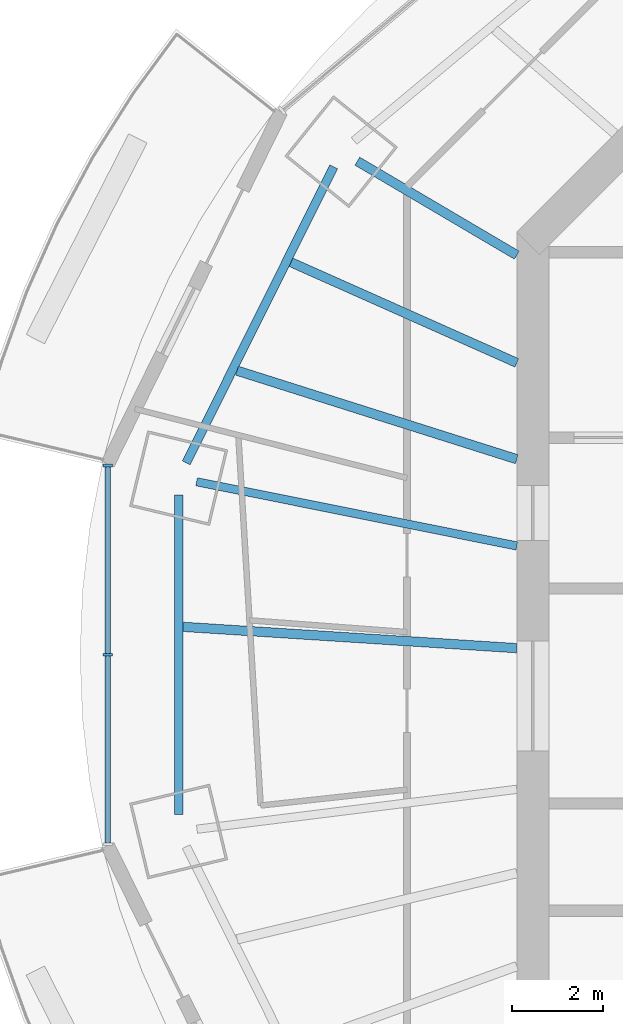
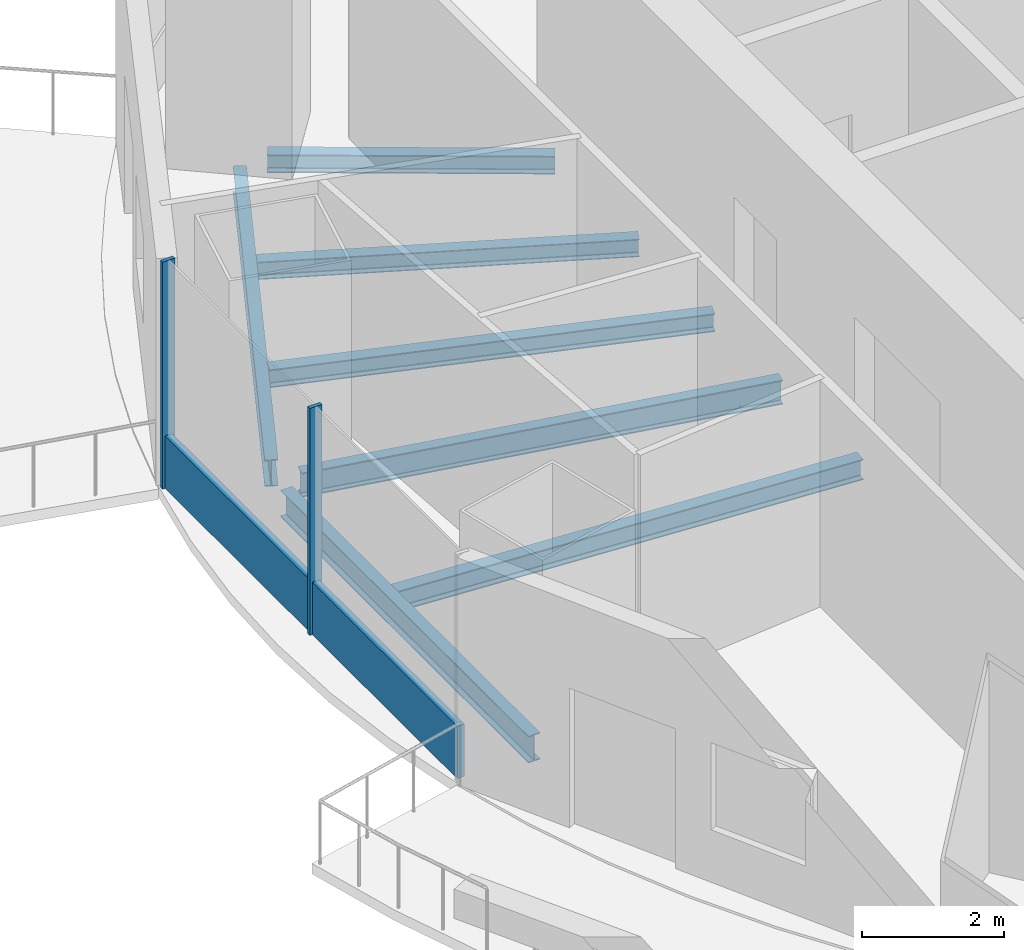
# One storey, part 3 of 14: 7 beams, 3 members, 1 element without a shape of its own.
"""IFC4 building model written with IfcOpenShell, lengths in metres."""

from ifc_helpers import new_model, si_unit, direction, frame, origin, origin_2d, place, context, subcontext, project, spatial, rectangle, i_section, extrude, material, material_profile, profile_set, type_object, element, aggregate, save


model = new_model("IFC4")

# Units and contexts
model_context = context("Model", 3, precision=1e-05, world=origin(), true_north=direction((0.0, 1.0)))
body_context = subcontext(model_context, "Body", "Model", "MODEL_VIEW")
ifc_project = project(units=[si_unit("LENGTHUNIT", "METRE"), si_unit("AREAUNIT", "SQUARE_METRE"), si_unit("VOLUMEUNIT", "CUBIC_METRE"), si_unit("PLANEANGLEUNIT", "RADIAN"), si_unit("MASSUNIT", "GRAM", prefix="KILO")], contexts=[model_context])

# Site, building, storey
site_placement = place(None, origin())
site = spatial("IfcSite", under=ifc_project, at=site_placement, CompositionType="ELEMENT")
building_placement = place(site_placement, origin())
building = spatial("IfcBuilding", under=site, at=building_placement, Name="Marenthal Gate Tower", CompositionType="ELEMENT")
storey_placement = place(building_placement, frame((0.0, 0.0, 392.39990234375)))
storey = spatial("IfcBuildingStorey", under=building, at=storey_placement, Name="L89", CompositionType="ELEMENT", Elevation=392.39990234375)

# Curtain wall, members
ifc_material_1 = material(Name="Aluminium and glass", Category="aluminium")
curtain_wall_type = type_object("IfcCurtainWallType", Name="Curtain wall typical high", PredefinedType="NOTDEFINED", material=ifc_material_1)
curtain_wall_placement = place(storey_placement, origin())
curtain_wall = element("IfcCurtainWall", 1, at=curtain_wall_placement, inside=storey, type_object=curtain_wall_type, Name="Curtain wall L89 bay 8", PredefinedType="NOTDEFINED")
ifc_material_2 = material(Name="Aluminium", Category="aluminium")
ifc_material_profile_1 = material_profile(ifc_material_2, rectangle(XDim=0.199951171875, YDim=0.06005859375, at=origin_2d()), Name="60x200 aluminium mullion")
ifc_profile_set_1 = profile_set([ifc_material_profile_1], Name="Aluminium")
member_type_1 = type_object("IfcMemberType", Name="Mullion 60x200 typical high", PredefinedType="MULLION", material=ifc_profile_set_1)
member_1_placement = place(storey_placement, frame((-25.292236328125, 5.041015625, 0.0), z_axis=(0.0, 0.0, 1.0), x_axis=(1.0, 0.0, 0.0)))
member_1 = element("IfcMember", 2, at=member_1_placement, type_object=member_type_1, Name="Mullion L89 bay 8.1", PredefinedType="MULLION", context=body_context, shape_type="SweptSolid", body=[
    extrude(rectangle(XDim=0.199951171875, YDim=0.06005859375, at=origin_2d()), origin(), (0.0, 0.0, 1.0), 3.900146484375),
])
member_2_placement = place(storey_placement, frame((-25.292236328125, 0.89990234375, 0.0), z_axis=(0.0, 0.0, 1.0), x_axis=(1.0, 0.0, 0.0)))
member_2 = element("IfcMember", 3, at=member_2_placement, type_object=member_type_1, Name="Mullion L89 bay 8.2", PredefinedType="MULLION", context=body_context, shape_type="SweptSolid", body=[
    extrude(rectangle(XDim=0.199951171875, YDim=0.06005859375, at=origin_2d()), origin(), (0.0, 0.0, 1.0), 3.900146484375),
])
ifc_material_3 = material(Name="Aluminium", Category="aluminium")
ifc_material_profile_2 = material_profile(ifc_material_3, rectangle(XDim=0.1201171875, YDim=0.89990234375, at=origin_2d()), Name="120x900 aluminium transom")
ifc_profile_set_2 = profile_set([ifc_material_profile_2], Name="Aluminium")
member_type_2 = type_object("IfcMemberType", Name="Transom 120x900 typical high", PredefinedType="USERDEFINED", material=ifc_profile_set_2)
member_3_placement = place(storey_placement, frame((-25.292236328125, 5.010986328125, 0.4501953125), z_axis=(0.0, -1.0, 0.0), x_axis=(1.0, 0.0, 0.0)))
member_3 = element("IfcMember", 4, at=member_3_placement, type_object=member_type_2, Name="Transom L89 bay 8", ObjectType="TRANSOM", PredefinedType="USERDEFINED", context=body_context, shape_type="SweptSolid", body=[
    extrude(rectangle(XDim=0.1201171875, YDim=0.89990234375, at=origin_2d()), origin(), (0.0, 0.0, 1.0), 8.221923828125),
])
aggregate(curtain_wall, [member_1, member_2, member_3])

# Beams
ifc_material_4 = material(Name="Steel S355", Category="steel")
ifc_material_profile_3 = material_profile(ifc_material_4, i_section(OverallWidth=0.202880859375, OverallDepth=0.302001953125, WebThickness=0.007568359375, FlangeThickness=0.01318359375, FilletRadius=0.0126953125, at=origin_2d()), Name="W310X60")
ifc_profile_set_3 = profile_set([ifc_material_profile_3], Name="Steel S355")
beam_type_1 = type_object("IfcBeamType", Name="W310X60 beam", PredefinedType="BEAM", material=ifc_profile_set_3)
beam_1_placement = place(storey_placement, frame((-21.2861328125, 9.482177734375, -0.330810546875), z_axis=(0.913455344752, -0.406938979631, 0.0), x_axis=(0.406938979631, 0.913455344752, 0.0)))
element("IfcBeam", 5, at=beam_1_placement, inside=storey, type_object=beam_type_1, Name="BM-L89-25", PredefinedType="BEAM", context=body_context, shape_type="SweptSolid", body=[
    extrude(i_section(OverallWidth=0.202880859375, OverallDepth=0.302001953125, WebThickness=0.007568359375, FlangeThickness=0.01318359375, FilletRadius=0.0126953125, at=origin_2d()), origin(), (0.0, 0.0, 1.0), 5.40380859375),
])
ifc_material_5 = material(Name="Steel S355", Category="steel")
ifc_material_profile_4 = material_profile(ifc_material_5, i_section(OverallWidth=0.205078125, OverallDepth=0.31005859375, WebThickness=0.009521484375, FlangeThickness=0.016357421875, FilletRadius=0.0126953125, at=origin_2d()), Name="W310X74")
ifc_profile_set_4 = profile_set([ifc_material_profile_4], Name="Steel S355")
beam_type_2 = type_object("IfcBeamType", Name="W310X74 beam", PredefinedType="BEAM", material=ifc_profile_set_4)
beam_2_placement = place(storey_placement, frame((-19.836181640625, 11.6923828125, -0.3349609375), z_axis=(0.861470125901, -0.507808253359, 0.0), x_axis=(0.507808253359, 0.861470125901, 0.0)))
element("IfcBeam", 6, at=beam_2_placement, inside=storey, type_object=beam_type_2, Name="BM-L89-07", PredefinedType="BEAM", context=body_context, shape_type="SweptSolid", body=[
    extrude(i_section(OverallWidth=0.205078125, OverallDepth=0.31005859375, WebThickness=0.009521484375, FlangeThickness=0.016357421875, FilletRadius=0.0126953125, at=origin_2d()), origin(), (0.0, 0.0, 1.0), 4.046630859375),
])
beam_3_placement = place(storey_placement, frame((-22.466064453125, 7.11279296875, -0.3349609375), z_axis=(0.953362121218, -0.301828868444, 0.0), x_axis=(0.301828868444, 0.953362121218, 0.0)))
element("IfcBeam", 7, at=beam_3_placement, inside=storey, type_object=beam_type_2, Name="BM-L89-26", PredefinedType="BEAM", context=body_context, shape_type="SweptSolid", body=[
    extrude(i_section(OverallWidth=0.205078125, OverallDepth=0.31005859375, WebThickness=0.009521484375, FlangeThickness=0.016357421875, FilletRadius=0.0126953125, at=origin_2d()), origin(), (0.0, 0.0, 1.0), 6.4150390625),
])
ifc_material_6 = material(Name="Steel S355", Category="steel")
ifc_material_profile_5 = material_profile(ifc_material_6, i_section(OverallWidth=0.205078125, OverallDepth=0.35302734375, WebThickness=0.009521484375, FlangeThickness=0.016845703125, FilletRadius=0.014892578125, at=origin_2d()), Name="W360X79")
ifc_profile_set_5 = profile_set([ifc_material_profile_5], Name="Steel S355")
beam_type_3 = type_object("IfcBeamType", Name="W360X79 beam", PredefinedType="BEAM", material=ifc_profile_set_5)
beam_4_placement = place(storey_placement, frame((-23.647216796875, 1.511962890625, -0.3564453125), z_axis=(0.997962303088, -0.06380628195, 0.0), x_axis=(0.06380628195, 0.997962303088, 0.0)))
element("IfcBeam", 8, at=beam_4_placement, inside=storey, type_object=beam_type_3, Name="BM-L89-27", PredefinedType="BEAM", context=body_context, shape_type="SweptSolid", body=[
    extrude(i_section(OverallWidth=0.205078125, OverallDepth=0.35302734375, WebThickness=0.009521484375, FlangeThickness=0.016845703125, FilletRadius=0.014892578125, at=origin_2d()), origin(), (0.0, 0.0, 1.0), 7.31201171875),
])
ifc_material_7 = material(Name="Steel S355", Category="steel")
ifc_material_profile_6 = material_profile(ifc_material_7, i_section(OverallWidth=0.180908203125, OverallDepth=0.4169921875, WebThickness=0.010986328125, FlangeThickness=0.018310546875, FilletRadius=0.01025390625, at=origin_2d()), Name="W410X85")
ifc_profile_set_6 = profile_set([ifc_material_profile_6], Name="Steel S355")
beam_type_4 = type_object("IfcBeamType", Name="W410X85 beam", PredefinedType="BEAM", material=ifc_profile_set_6)
beam_5_placement = place(storey_placement, frame((-23.349853515625, 4.68408203125, -0.388427734375), z_axis=(0.980463441902, -0.196701395759, 0.0), x_axis=(0.196701395759, 0.980463441902, 0.0)))
element("IfcBeam", 9, at=beam_5_placement, inside=storey, type_object=beam_type_4, Name="BM-L89-08", PredefinedType="BEAM", context=body_context, shape_type="SweptSolid", body=[
    extrude(i_section(OverallWidth=0.180908203125, OverallDepth=0.4169921875, WebThickness=0.010986328125, FlangeThickness=0.018310546875, FilletRadius=0.01025390625, at=origin_2d()), origin(), (0.0, 0.0, 1.0), 7.13916015625),
])
ifc_material_8 = material(Name="Steel S355", Category="steel")
ifc_material_profile_7 = material_profile(ifc_material_8, i_section(OverallWidth=0.19091796875, OverallDepth=0.45703125, WebThickness=0.009033203125, FlangeThickness=0.014404296875, FilletRadius=0.01025390625, at=origin_2d()), Name="W460X74")
ifc_profile_set_7 = profile_set([ifc_material_profile_7], Name="Steel S355")
beam_type_5 = type_object("IfcBeamType", Name="W460X74 beam", PredefinedType="BEAM", material=ifc_profile_set_7)
beam_6_placement = place(storey_placement, frame((-20.35400390625, 11.569091796875, -0.408447265625), z_axis=(-0.445686804831, -0.895188958824, 0.0), x_axis=(0.895188958824, -0.445686804831, 0.0)))
element("IfcBeam", 10, at=beam_6_placement, inside=storey, type_object=beam_type_5, Name="BM-L89-44", PredefinedType="BEAM", context=body_context, shape_type="SweptSolid", body=[
    extrude(i_section(OverallWidth=0.19091796875, OverallDepth=0.45703125, WebThickness=0.009033203125, FlangeThickness=0.014404296875, FilletRadius=0.01025390625, at=origin_2d()), origin(), (0.0, 0.0, 1.0), 7.230712890625),
])
beam_7_placement = place(storey_placement, frame((-23.74267578125, 4.388916015625, -0.408447265625), z_axis=(0.0, -1.0, 0.0), x_axis=(1.0, 0.0, 0.0)))
element("IfcBeam", 11, at=beam_7_placement, inside=storey, type_object=beam_type_5, Name="BM-L89-45", PredefinedType="BEAM", context=body_context, shape_type="SweptSolid", body=[
    extrude(i_section(OverallWidth=0.19091796875, OverallDepth=0.45703125, WebThickness=0.009033203125, FlangeThickness=0.014404296875, FilletRadius=0.01025390625, at=origin_2d()), origin(), (0.0, 0.0, 1.0), 6.977783203125),
])

save(model, "model.ifc")
